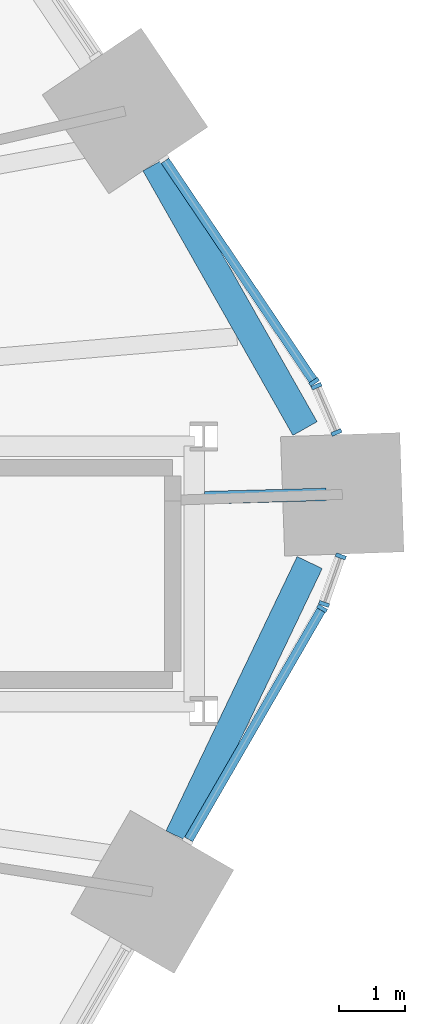
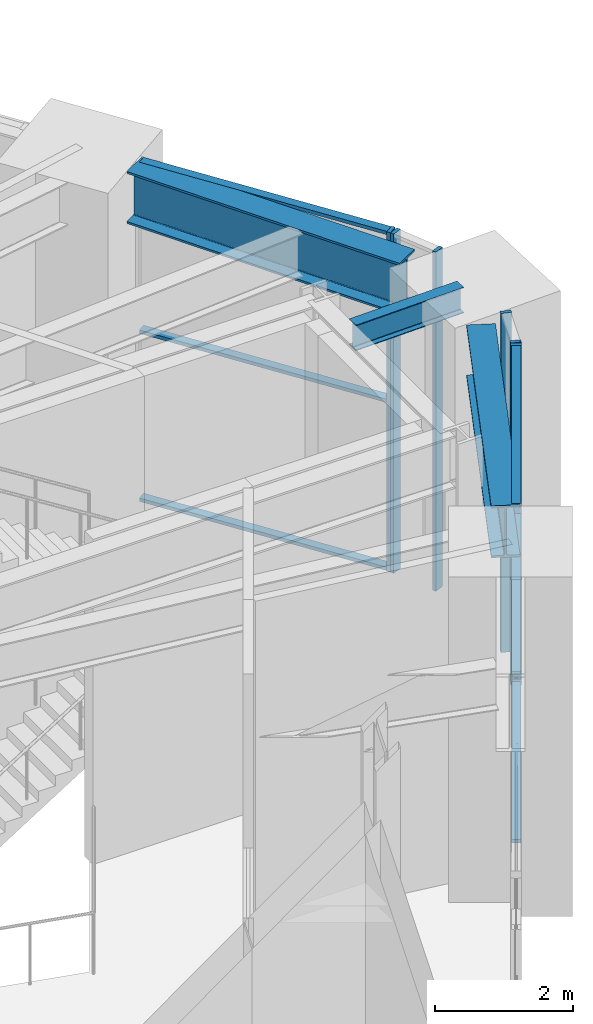
# One storey, part 11 of 32: 12 members, 3 beams, 4 elements without a shape of their own.
"""IFC4 building model written with IfcOpenShell, lengths in metres."""

from ifc_helpers import new_model, si_unit, direction, frame, origin, origin_2d, place, context, subcontext, project, spatial, rectangle, i_section, extrude, material, material_profile, profile_set, type_object, element, aggregate, save


model = new_model("IFC4")

# Units and contexts
model_context = context("Model", 3, precision=1e-05, world=origin(), true_north=direction((0.0, 1.0)))
body_context = subcontext(model_context, "Body", "Model", "MODEL_VIEW")
ifc_project = project(units=[si_unit("LENGTHUNIT", "METRE"), si_unit("AREAUNIT", "SQUARE_METRE"), si_unit("VOLUMEUNIT", "CUBIC_METRE"), si_unit("PLANEANGLEUNIT", "RADIAN"), si_unit("MASSUNIT", "GRAM", prefix="KILO")], contexts=[model_context])

# Site, building, storey
site_placement = place(None, origin())
site = spatial("IfcSite", under=ifc_project, at=site_placement, CompositionType="ELEMENT")
building_placement = place(site_placement, origin())
building = spatial("IfcBuilding", under=site, at=building_placement, Name="Tarnside Tower", CompositionType="ELEMENT")
storey_placement = place(building_placement, frame((0.0, 0.0, 9.0)))
storey = spatial("IfcBuildingStorey", under=building, at=storey_placement, Name="L01", CompositionType="ELEMENT", Elevation=9.0)

# Beams
ifc_material_1 = material(Name="Steel S355", Category="steel")
ifc_material_profile_1 = material_profile(ifc_material_1, i_section(OverallWidth=0.18994140625, OverallDepth=0.453369140625, WebThickness=0.008544921875, FlangeThickness=0.0126953125, FilletRadius=0.01025390625, at=origin_2d()), Name="UB 457x191x67")
ifc_profile_set_1 = profile_set([ifc_material_profile_1], Name="Steel S355")
beam_type_1 = type_object("IfcBeamType", Name="Floor beam UB 457x191x67", PredefinedType="BEAM", material=ifc_profile_set_1)
beam_1_placement = place(storey_placement, frame((33.443603515625, 1.1748046875, 5.523193359375), z_axis=(-0.999639419601, -0.026852016324, 0.0), x_axis=(0.026852016324, -0.999639419601, 0.0)))
element("IfcBeam", 1, at=beam_1_placement, inside=storey, type_object=beam_type_1, Name="Floor beam C5a", PredefinedType="BEAM", context=body_context, shape_type="SweptSolid", body=[
    extrude(i_section(OverallWidth=0.18994140625, OverallDepth=0.453369140625, WebThickness=0.008544921875, FlangeThickness=0.0126953125, FilletRadius=0.01025390625, at=origin_2d()), origin(), (0.0, 0.0, 1.0), 1.836669921875),
])
ifc_material_2 = material(Name="Steel S460", Category="steel")
ifc_material_profile_2 = material_profile(ifc_material_2, i_section(OverallWidth=0.42041015625, OverallDepth=0.9208984375, WebThickness=0.021484375, FlangeThickness=0.03662109375, FilletRadius=0.024169921875, at=origin_2d()), Name="UB 914x419x388")
ifc_profile_set_2 = profile_set([ifc_material_profile_2], Name="Steel S460")
beam_type_2 = type_object("IfcBeamType", Name="Perimeter girder UB 914x419x388", PredefinedType="BEAM", material=ifc_profile_set_2)
beam_2_placement = place(storey_placement, frame((31.21533203125, -3.990234375, 5.28955078125), z_axis=(0.431193650813, 0.90225940588, 0.0), x_axis=(-0.90225940588, 0.431193650813, 0.0)))
element("IfcBeam", 2, at=beam_2_placement, inside=storey, type_object=beam_type_2, Name="Perimeter girder M19", PredefinedType="BEAM", context=body_context, shape_type="SweptSolid", body=[
    extrude(i_section(OverallWidth=0.42041015625, OverallDepth=0.9208984375, WebThickness=0.021484375, FlangeThickness=0.03662109375, FilletRadius=0.024169921875, at=origin_2d()), origin(), (0.0, 0.0, 1.0), 4.586181640625),
])
beam_3_placement = place(storey_placement, frame((33.122314453125, 2.16796875, 5.28955078125), z_axis=(-0.493028689039, 0.870013052652, 0.0), x_axis=(-0.870013052652, -0.493028689039, 0.0)))
element("IfcBeam", 3, at=beam_3_placement, inside=storey, type_object=beam_type_2, Name="Perimeter girder M20", PredefinedType="BEAM", context=body_context, shape_type="SweptSolid", body=[
    extrude(i_section(OverallWidth=0.42041015625, OverallDepth=0.9208984375, WebThickness=0.021484375, FlangeThickness=0.03662109375, FilletRadius=0.024169921875, at=origin_2d()), origin(), (0.0, 0.0, 1.0), 4.58642578125),
])

# Curtain wall, member
ifc_material_3 = material(Name="Retail shopfront glazing wall", Category="glass")
curtain_wall_type = type_object("IfcCurtainWallType", Name="Retail shopfront glazing wall", PredefinedType="NOTDEFINED", material=ifc_material_3)
curtain_wall_1_placement = place(storey_placement, origin())
curtain_wall_1 = element("IfcCurtainWall", 4, at=curtain_wall_1_placement, inside=storey, type_object=curtain_wall_type, Name="Retail shopfront glazing L01 18.0", PredefinedType="NOTDEFINED")
ifc_material_4 = material(Name="Aluminium alloy 6063", Category="aluminium")
ifc_material_profile_3 = material_profile(ifc_material_4, rectangle(XDim=0.159912109375, YDim=0.06005859375, at=origin_2d()), Name="Retail shopfront glazing mullion 60 x 160")
ifc_profile_set_3 = profile_set([ifc_material_profile_3], Name="Aluminium alloy 6063")
member_type_1 = type_object("IfcMemberType", Name="Retail shopfront glazing mullion 60 x 160", PredefinedType="MULLION", material=ifc_profile_set_3)
member_1_placement = place(storey_placement, frame((33.37890625, -0.5458984375, -0.25), z_axis=(0.0, 0.0, 1.0), x_axis=(-0.866025403872, 0.499999999849, 0.0)))
member_1 = element("IfcMember", 5, at=member_1_placement, type_object=member_type_1, Name="CW2 mullion 2", PredefinedType="MULLION", context=body_context, shape_type="SweptSolid", body=[
    extrude(rectangle(XDim=0.159912109375, YDim=0.06005859375, at=origin_2d()), origin(), (0.0, 0.0, 1.0), 6.0),
])

# Curtain wall, members
curtain_wall_2_placement = place(storey_placement, origin())
curtain_wall_2 = element("IfcCurtainWall", 6, at=curtain_wall_2_placement, inside=storey, type_object=curtain_wall_type, Name="Retail shopfront glazing L01 18.1", PredefinedType="NOTDEFINED")
member_2_placement = place(storey_placement, frame((33.41015625, -0.478271484375, -0.25), z_axis=(0.0, 0.0, 1.0), x_axis=(-0.943608506476, 0.331063417649, 0.0)))
member_2 = element("IfcMember", 7, at=member_2_placement, type_object=member_type_1, Name="CW2 mullion 1", PredefinedType="MULLION", context=body_context, shape_type="SweptSolid", body=[
    extrude(rectangle(XDim=0.159912109375, YDim=0.06005859375, at=origin_2d()), origin(), (0.0, 0.0, 1.0), 6.0),
])
member_3_placement = place(storey_placement, frame((33.662109375, 0.240234375, -0.25), z_axis=(0.0, 0.0, 1.0), x_axis=(-0.943608506476, 0.331063417649, 0.0)))
member_3 = element("IfcMember", 8, at=member_3_placement, type_object=member_type_1, Name="CW2 mullion 2", PredefinedType="MULLION", context=body_context, shape_type="SweptSolid", body=[
    extrude(rectangle(XDim=0.159912109375, YDim=0.06005859375, at=origin_2d()), origin(), (0.0, 0.0, 1.0), 6.0),
])
aggregate(curtain_wall_2, [member_2, member_3])

curtain_wall_3_placement = place(storey_placement, origin())
curtain_wall_3 = element("IfcCurtainWall", 9, at=curtain_wall_3_placement, inside=storey, type_object=curtain_wall_type, Name="Retail shopfront glazing L01 19.0", PredefinedType="NOTDEFINED")
member_4_placement = place(storey_placement, frame((33.596923828125, 2.1083984375, -0.25), z_axis=(0.0, 0.0, 1.0), x_axis=(-0.918216107, -0.396079765761, 0.0)))
member_4 = element("IfcMember", 10, at=member_4_placement, type_object=member_type_1, Name="CW2 mullion 1", PredefinedType="MULLION", context=body_context, shape_type="SweptSolid", body=[
    extrude(rectangle(XDim=0.159912109375, YDim=0.06005859375, at=origin_2d()), origin(), (0.0, 0.0, 1.0), 6.0),
])
member_5_placement = place(storey_placement, frame((33.29541015625, 2.8076171875, -0.25), z_axis=(0.0, 0.0, 1.0), x_axis=(-0.918216107, -0.396079765761, 0.0)))
member_5 = element("IfcMember", 11, at=member_5_placement, type_object=member_type_1, Name="CW2 mullion 2", PredefinedType="MULLION", context=body_context, shape_type="SweptSolid", body=[
    extrude(rectangle(XDim=0.159912109375, YDim=0.06005859375, at=origin_2d()), origin(), (0.0, 0.0, 1.0), 6.0),
])
aggregate(curtain_wall_3, [member_4, member_5])

# Curtain wall, member
curtain_wall_4_placement = place(storey_placement, origin())
curtain_wall_4 = element("IfcCurtainWall", 12, at=curtain_wall_4_placement, inside=storey, type_object=curtain_wall_type, Name="Retail shopfront glazing L01 19.1", PredefinedType="NOTDEFINED")
member_6_placement = place(storey_placement, frame((33.259521484375, 2.873046875, -0.25), z_axis=(0.0, 0.0, 1.0), x_axis=(-0.829037572487, -0.559192903572, 0.0)))
member_6 = element("IfcMember", 13, at=member_6_placement, type_object=member_type_1, Name="CW2 mullion 1", PredefinedType="MULLION", context=body_context, shape_type="SweptSolid", body=[
    extrude(rectangle(XDim=0.159912109375, YDim=0.06005859375, at=origin_2d()), origin(), (0.0, 0.0, 1.0), 6.0),
])

# Member
ifc_material_profile_4 = material_profile(ifc_material_4, rectangle(XDim=0.139892578125, YDim=0.06005859375, at=origin_2d()), Name="Retail shopfront glazing transom 60 x 140")
ifc_profile_set_4 = profile_set([ifc_material_profile_4], Name="Aluminium alloy 6063")
member_type_2 = type_object("IfcMemberType", Name="Retail shopfront glazing transom 60 x 140", PredefinedType="USERDEFINED", material=ifc_profile_set_4)
member_7_placement = place(storey_placement, frame((31.367919921875, -4.029052734375, -0.219970703125), z_axis=(0.500033033937, 0.866006330792, 0.0), x_axis=(-0.866006330792, 0.500033033937, 0.0)))
member_7 = element("IfcMember", 14, at=member_7_placement, type_object=member_type_2, Name="CW2 transom 1.1", ObjectType="TRANSOM", PredefinedType="USERDEFINED", context=body_context, shape_type="SweptSolid", body=[
    extrude(rectangle(XDim=0.139892578125, YDim=0.06005859375, at=origin_2d()), origin(), (0.0, 0.0, 1.0), 3.991943359375),
])

member_8_placement = place(storey_placement, frame((31.367919921875, -4.029052734375, 2.75), z_axis=(0.500033033937, 0.866006330792, 0.0), x_axis=(-0.866006330792, 0.500033033937, 0.0)))
member_8 = element("IfcMember", 15, at=member_8_placement, type_object=member_type_2, Name="CW2 transom 1.2", ObjectType="TRANSOM", PredefinedType="USERDEFINED", context=body_context, shape_type="SweptSolid", body=[
    extrude(rectangle(XDim=0.139892578125, YDim=0.06005859375, at=origin_2d()), origin(), (0.0, 0.0, 1.0), 3.991943359375),
])

member_9_placement = place(storey_placement, frame((31.367919921875, -4.029052734375, 5.719970703125), z_axis=(0.500033033937, 0.866006330792, 0.0), x_axis=(-0.866006330792, 0.500033033937, 0.0)))
member_9 = element("IfcMember", 16, at=member_9_placement, type_object=member_type_2, Name="CW2 transom 1.3", ObjectType="TRANSOM", PredefinedType="USERDEFINED", context=body_context, shape_type="SweptSolid", body=[
    extrude(rectangle(XDim=0.139892578125, YDim=0.06005859375, at=origin_2d()), origin(), (0.0, 0.0, 1.0), 3.991943359375),
])

aggregate(curtain_wall_1, [member_1, member_7, member_8, member_9])

member_10_placement = place(storey_placement, frame((33.24267578125, 2.89794921875, -0.219970703125), z_axis=(-0.559194461084, 0.829036521929, 0.0), x_axis=(-0.829036521929, -0.559194461084, 0.0)))
member_10 = element("IfcMember", 17, at=member_10_placement, type_object=member_type_2, Name="CW2 transom 1.1", ObjectType="TRANSOM", PredefinedType="USERDEFINED", context=body_context, shape_type="SweptSolid", body=[
    extrude(rectangle(XDim=0.139892578125, YDim=0.06005859375, at=origin_2d()), origin(), (0.0, 0.0, 1.0), 3.99169921875),
])

member_11_placement = place(storey_placement, frame((33.24267578125, 2.89794921875, 2.75), z_axis=(-0.559194461084, 0.829036521929, 0.0), x_axis=(-0.829036521929, -0.559194461084, 0.0)))
member_11 = element("IfcMember", 18, at=member_11_placement, type_object=member_type_2, Name="CW2 transom 1.2", ObjectType="TRANSOM", PredefinedType="USERDEFINED", context=body_context, shape_type="SweptSolid", body=[
    extrude(rectangle(XDim=0.139892578125, YDim=0.06005859375, at=origin_2d()), origin(), (0.0, 0.0, 1.0), 3.99169921875),
])

member_12_placement = place(storey_placement, frame((33.24267578125, 2.89794921875, 5.719970703125), z_axis=(-0.559194461084, 0.829036521929, 0.0), x_axis=(-0.829036521929, -0.559194461084, 0.0)))
member_12 = element("IfcMember", 19, at=member_12_placement, type_object=member_type_2, Name="CW2 transom 1.3", ObjectType="TRANSOM", PredefinedType="USERDEFINED", context=body_context, shape_type="SweptSolid", body=[
    extrude(rectangle(XDim=0.139892578125, YDim=0.06005859375, at=origin_2d()), origin(), (0.0, 0.0, 1.0), 3.99169921875),
])

aggregate(curtain_wall_4, [member_6, member_10, member_11, member_12])

save(model, "model.ifc")
